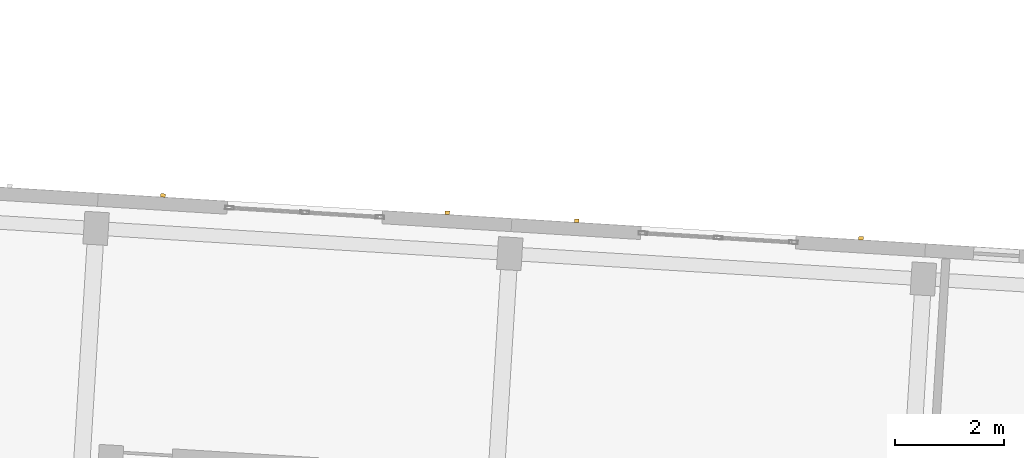
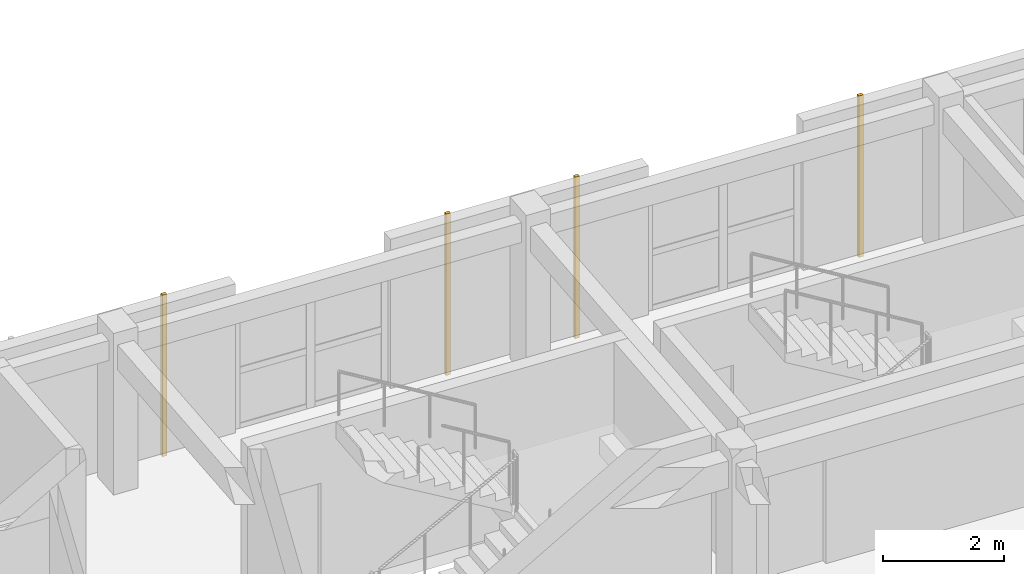
# One storey, part 54 of 65: 4 coverings.
"""IFC4 building model written with IfcOpenShell, lengths in metres."""

from ifc_helpers import new_model, si_unit, direction, frame, origin, origin_2d, place, context, subcontext, project, spatial, rectangle, extrude, material, layer, layer_set, type_object, element, save


model = new_model("IFC4")

# Units and contexts
model_context = context("Model", 3, precision=1e-05, world=origin(), true_north=direction((0.0, 1.0)))
body_context = subcontext(model_context, "Body", "Model", "MODEL_VIEW")
ifc_project = project(units=[si_unit("LENGTHUNIT", "METRE"), si_unit("AREAUNIT", "SQUARE_METRE"), si_unit("VOLUMEUNIT", "CUBIC_METRE"), si_unit("PLANEANGLEUNIT", "RADIAN"), si_unit("MASSUNIT", "GRAM", prefix="KILO")], contexts=[model_context])

# Site, building, storey
site_placement = place(None, origin())
site = spatial("IfcSite", under=ifc_project, at=site_placement, CompositionType="ELEMENT")
building_placement = place(site_placement, origin())
building = spatial("IfcBuilding", under=site, at=building_placement, Name="Kestramere Prow Commons", CompositionType="ELEMENT")
storey_placement = place(building_placement, frame((0.0, 0.0, 21.39990234375)))
storey = spatial("IfcBuildingStorey", under=building, at=storey_placement, Name="L06", CompositionType="ELEMENT", Elevation=21.39990234375)

# Coverings
ifc_material = material(Name="Weathered Zinc-Titanium Standing-Seam Cladding")
ifc_layer = layer(ifc_material, 0.074951171875)
ifc_layer_set = layer_set([ifc_layer], Name="Weathered Zinc-Titanium Standing-Seam Cladding")
covering_type = type_object("IfcCoveringType", Name="COV-CLAD-SEAM", PredefinedType="CLADDING", material=ifc_layer_set)
for number, where, z_axis, x_axis, name in (
    (1, (69.509033203125, 66.203125, -0.25), (0.0, 0.0, 1.0), (0.998134798422, -0.061048539535, 0.0), "EW-C-L06-NP-1-L Standing-Seam Rib 1"),
    (2, (74.724365234375, 65.88427734375, -0.25), (0.0, 0.0, 1.0), (0.998134798422, -0.061048539535, 0.0), "EW-C-L06-NP-1-R Standing-Seam Rib 1"),
    (3, (77.094970703125, 65.7392578125, -0.25), (0.0, 0.0, 1.0), (0.998134798422, -0.061048539535, 0.0), "EW-C-L06-NP-2-L Standing-Seam Rib 1"),
    (4, (82.31005859375, 65.420166015625, -0.25), (0.0, 0.0, 1.0), (0.998134798422, -0.061048539535, 0.0), "EW-C-L06-NP-2-R Standing-Seam Rib 1"),
):
    element("IfcCovering", number, at=place(storey_placement, frame(where, z_axis=z_axis, x_axis=x_axis)), inside=storey, type_object=covering_type, Name=name, PredefinedType="CLADDING", context=body_context, shape_type="SweptSolid", body=[
        extrude(rectangle(XDim=0.0849609375, YDim=0.06494140625, at=origin_2d()), origin(), (0.0, 0.0, 1.0), 3.25),
    ])

save(model, "model.ifc")
